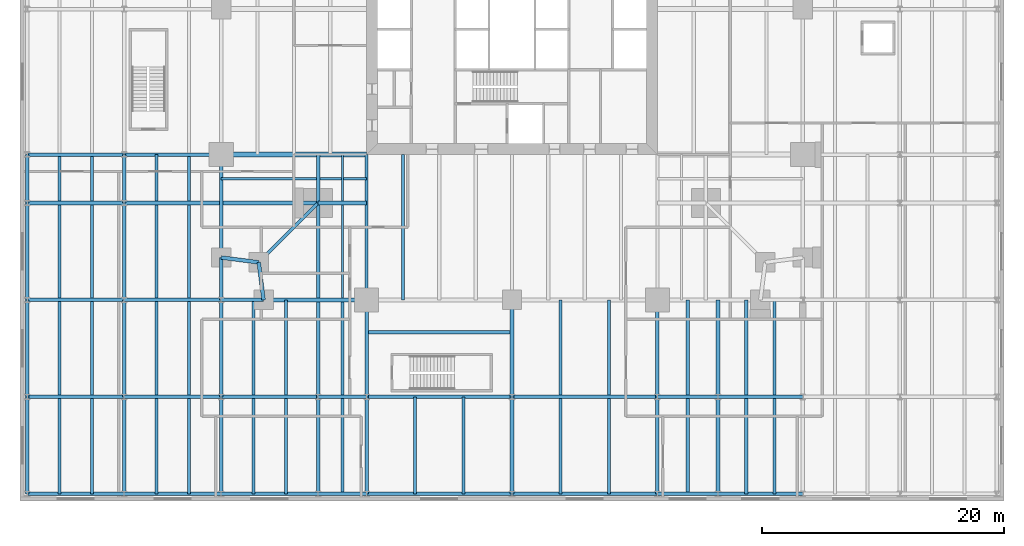
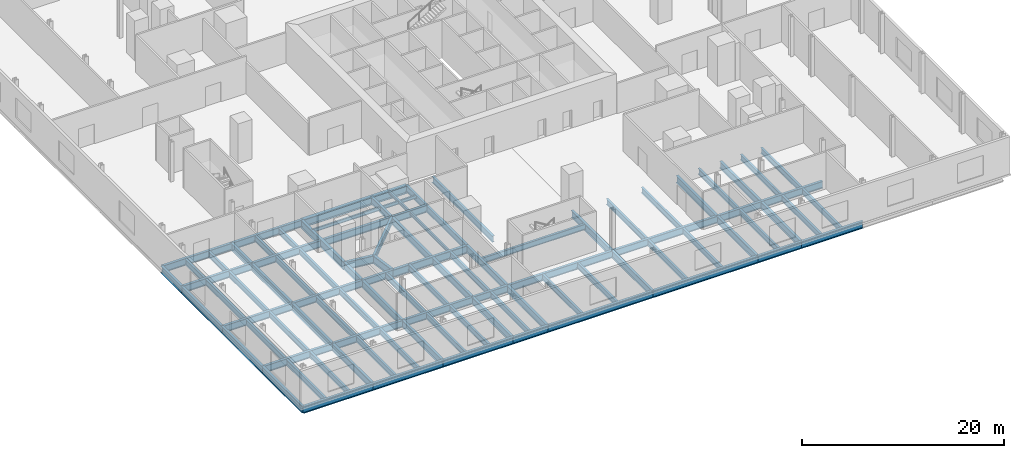
# One storey, part 4 of 16: 96 beams.
"""IFC4 building model written with IfcOpenShell, lengths in metres."""

from ifc_helpers import new_model, si_unit, direction, frame, origin, origin_2d, place, context, subcontext, project, spatial, i_section, extrude, material, material_profile, profile_set, type_object, element, save


model = new_model("IFC4")

# Units and contexts
model_context = context("Model", 3, precision=1e-05, world=origin(), true_north=direction((0.0, 1.0)))
body_context = subcontext(model_context, "Body", "Model", "MODEL_VIEW")
ifc_project = project(units=[si_unit("LENGTHUNIT", "METRE"), si_unit("AREAUNIT", "SQUARE_METRE"), si_unit("VOLUMEUNIT", "CUBIC_METRE"), si_unit("PLANEANGLEUNIT", "RADIAN"), si_unit("MASSUNIT", "GRAM", prefix="KILO")], contexts=[model_context])

# Site, building, storey
site_placement = place(None, origin())
site = spatial("IfcSite", under=ifc_project, at=site_placement, CompositionType="ELEMENT")
building_placement = place(site_placement, origin())
building = spatial("IfcBuilding", under=site, at=building_placement, Name="Fenwick Lantern Interchange", CompositionType="ELEMENT")
storey_placement = place(building_placement, frame((0.0, 0.0, 7.0)))
storey = spatial("IfcBuildingStorey", under=building, at=storey_placement, Name="L01", CompositionType="ELEMENT", Elevation=7.0)

# Beams
ifc_material = material(Name="Steel ASTM A992 Grade 50", Category="steel")
ifc_material_profile_1 = material_profile(ifc_material, i_section(OverallWidth=0.309814453125, OverallDepth=0.949951171875, WebThickness=0.0244140625, FlangeThickness=0.0439453125, at=origin_2d()), Name="W36X256")
ifc_profile_set_1 = profile_set([ifc_material_profile_1], Name="Steel ASTM A992 Grade 50")
beam_type_1 = type_object("IfcBeamType", Name="EDGE BEAM W36X256", PredefinedType="SPANDREL", material=ifc_profile_set_1)
for number, where, z_axis, x_axis, name in (
    (1, (4.5, 1.0, -0.675048828125), (1.0, 0.0, 0.0), (0.0, 1.0, 0.0), "L01/FR/S/EB1"),
    (2, (1.0, 13.0, -0.675048828125), (0.0, -1.0, 0.0), (1.0, 0.0, 0.0), "L01/FR/W/EB4"),
):
    element("IfcBeam", number, at=place(storey_placement, frame(where, z_axis=z_axis, x_axis=x_axis)), inside=storey, type_object=beam_type_1, Name=name, PredefinedType="SPANDREL", context=body_context, shape_type="SweptSolid", body=[
        extrude(i_section(OverallWidth=0.309814453125, OverallDepth=0.949951171875, WebThickness=0.0244140625, FlangeThickness=0.0439453125, at=origin_2d()), origin(), (0.0, 0.0, 1.0), 8.5),
    ])
for number, where, z_axis, x_axis, name in (
    (3, (1.0, 4.5, -0.675048828125), (0.991782342897, -0.127936641807, 0.0), (0.127936641807, 0.991782342897, 0.0), "L01/FR/W/EBR1"),
    (4, (4.10009765625, 4.10009765625, -0.675048828125), (0.127936641807, -0.991782342897, 0.0), (0.991782342897, 0.127936641807, 0.0), "L01/FR/W/EBR2"),
):
    element("IfcBeam", number, at=place(storey_placement, frame(where, z_axis=z_axis, x_axis=x_axis)), inside=storey, type_object=beam_type_1, Name=name, PredefinedType="SPANDREL", context=body_context, shape_type="SweptSolid", body=[
        extrude(i_section(OverallWidth=0.309814453125, OverallDepth=0.949951171875, WebThickness=0.0244140625, FlangeThickness=0.0439453125, at=origin_2d()), origin(), (0.0, 0.0, 1.0), 3.125732421875),
    ])
ifc_material_profile_2 = material_profile(ifc_material, i_section(OverallWidth=0.2666015625, OverallDepth=0.7568359375, WebThickness=0.013916015625, FlangeThickness=0.019287109375, at=origin_2d()), Name="W30X108")
ifc_profile_set_2 = profile_set([ifc_material_profile_2], Name="Steel ASTM A992 Grade 50")
beam_type_2 = type_object("IfcBeamType", Name="FLOOR BEAM W30X108", PredefinedType="BEAM", material=ifc_profile_set_2)
beam_1_placement = place(storey_placement, frame((16.0, 1.0, -0.578369140625), z_axis=(0.0, 1.0, 0.0), x_axis=(-1.0, 0.0, 0.0)))
element("IfcBeam", 5, at=beam_1_placement, inside=storey, type_object=beam_type_2, Name="L01/FR/S/R02", PredefinedType="BEAM", context=body_context, shape_type="SweptSolid", body=[
    extrude(i_section(OverallWidth=0.2666015625, OverallDepth=0.7568359375, WebThickness=0.013916015625, FlangeThickness=0.019287109375, at=origin_2d()), origin(), (0.0, 0.0, 1.0), 12.0),
])
ifc_material_profile_3 = material_profile(ifc_material, i_section(OverallWidth=0.177734375, OverallDepth=0.406494140625, WebThickness=0.0078125, FlangeThickness=0.012939453125, at=origin_2d()), Name="W16X40")
ifc_profile_set_3 = profile_set([ifc_material_profile_3], Name="Steel ASTM A992 Grade 50")
beam_type_3 = type_object("IfcBeamType", Name="INFILL BEAM W16X40", PredefinedType="JOIST", material=ifc_profile_set_3)
beam_2_placement = place(storey_placement, frame((11.0, 1.155029296875, -0.4033203125), z_axis=(0.0, 1.0, 0.0), x_axis=(-1.0, 0.0, 0.0)))
element("IfcBeam", 6, at=beam_2_placement, inside=storey, type_object=beam_type_3, Name="L01/FR/S/J1", PredefinedType="JOIST", context=body_context, shape_type="SweptSolid", body=[
    extrude(i_section(OverallWidth=0.177734375, OverallDepth=0.406494140625, WebThickness=0.0078125, FlangeThickness=0.012939453125, at=origin_2d()), origin(), (0.0, 0.0, 1.0), 7.698974609375),
])
beam_3_placement = place(storey_placement, frame((11.0, 9.14599609375, -0.4033203125), z_axis=(0.0, 1.0, 0.0), x_axis=(-1.0, 0.0, 0.0)))
element("IfcBeam", 7, at=beam_3_placement, inside=storey, type_object=beam_type_3, Name="L01/FR/S/J2", PredefinedType="JOIST", context=body_context, shape_type="SweptSolid", body=[
    extrude(i_section(OverallWidth=0.177734375, OverallDepth=0.406494140625, WebThickness=0.0078125, FlangeThickness=0.012939453125, at=origin_2d()), origin(), (0.0, 0.0, 1.0), 3.85400390625),
])
beam_4_placement = place(storey_placement, frame((1.0, 11.0, -0.4033203125), z_axis=(1.0, 0.0, 0.0), x_axis=(0.0, 1.0, 0.0)))
element("IfcBeam", 8, at=beam_4_placement, inside=storey, type_object=beam_type_3, Name="L01/FR/S/J3", PredefinedType="JOIST", context=body_context, shape_type="SweptSolid", body=[
    extrude(i_section(OverallWidth=0.177734375, OverallDepth=0.406494140625, WebThickness=0.0078125, FlangeThickness=0.012939453125, at=origin_2d()), origin(), (0.0, 0.0, 1.0), 7.85400390625),
])
beam_5_placement = place(storey_placement, frame((9.14599609375, 11.0, -0.4033203125), z_axis=(1.0, 0.0, 0.0), x_axis=(0.0, 1.0, 0.0)))
element("IfcBeam", 9, at=beam_5_placement, inside=storey, type_object=beam_type_3, Name="L01/FR/S/J4", PredefinedType="JOIST", context=body_context, shape_type="SweptSolid", body=[
    extrude(i_section(OverallWidth=0.177734375, OverallDepth=0.406494140625, WebThickness=0.0078125, FlangeThickness=0.012939453125, at=origin_2d()), origin(), (0.0, 0.0, 1.0), 1.76513671875),
])
beam_6_placement = place(storey_placement, frame((11.0888671875, 11.0, -0.4033203125), z_axis=(1.0, 0.0, 0.0), x_axis=(0.0, 1.0, 0.0)))
element("IfcBeam", 10, at=beam_6_placement, inside=storey, type_object=beam_type_3, Name="L01/FR/S/J5", PredefinedType="JOIST", context=body_context, shape_type="SweptSolid", body=[
    extrude(i_section(OverallWidth=0.177734375, OverallDepth=0.406494140625, WebThickness=0.0078125, FlangeThickness=0.012939453125, at=origin_2d()), origin(), (0.0, 0.0, 1.0), 1.9111328125),
])
ifc_material_profile_4 = material_profile(ifc_material, i_section(OverallWidth=0.2919921875, OverallDepth=0.845703125, WebThickness=0.015380859375, FlangeThickness=0.0244140625, at=origin_2d()), Name="W33X141")
ifc_profile_set_4 = profile_set([ifc_material_profile_4], Name="Steel ASTM A992 Grade 50")
beam_type_4 = type_object("IfcBeamType", Name="MEGA COLUMN BEAM W33X141", PredefinedType="BEAM", material=ifc_profile_set_4)
for number, where, z_axis, x_axis, name in (
    (11, (9.0, 9.0, -0.622802734375), (0.0, -1.0, 0.0), (1.0, 0.0, 0.0), "L01/FR/S/MB1"),
    (12, (9.0, 9.0, -0.622802734375), (-1.0, 0.0, 0.0), (0.0, -1.0, 0.0), "L01/FR/S/MB2"),
):
    element("IfcBeam", number, at=place(storey_placement, frame(where, z_axis=z_axis, x_axis=x_axis)), inside=storey, type_object=beam_type_4, Name=name, PredefinedType="BEAM", context=body_context, shape_type="SweptSolid", body=[
        extrude(i_section(OverallWidth=0.2919921875, OverallDepth=0.845703125, WebThickness=0.015380859375, FlangeThickness=0.0244140625, at=origin_2d()), origin(), (0.0, 0.0, 1.0), 7.844970703125),
    ])
for number, where, z_axis, x_axis, name in (
    (13, (9.0, 9.0, -0.622802734375), (1.0, 0.0, 0.0), (0.0, 1.0, 0.0), "L01/FR/S/MB3"),
    (14, (9.0, 9.0, -0.622802734375), (0.0, 1.0, 0.0), (-1.0, 0.0, 0.0), "L01/FR/S/MB4"),
):
    element("IfcBeam", number, at=place(storey_placement, frame(where, z_axis=z_axis, x_axis=x_axis)), inside=storey, type_object=beam_type_4, Name=name, PredefinedType="BEAM", context=body_context, shape_type="SweptSolid", body=[
        extrude(i_section(OverallWidth=0.2919921875, OverallDepth=0.845703125, WebThickness=0.015380859375, FlangeThickness=0.0244140625, at=origin_2d()), origin(), (0.0, 0.0, 1.0), 4.0),
    ])
ifc_material_profile_5 = material_profile(ifc_material, i_section(OverallWidth=0.2666015625, OverallDepth=0.76953125, WebThickness=0.015625, FlangeThickness=0.025390625, at=origin_2d()), Name="W30X132")
ifc_profile_set_5 = profile_set([ifc_material_profile_5], Name="Steel ASTM A992 Grade 50")
beam_type_5 = type_object("IfcBeamType", Name="MOMENT-CONNECTED GIRDER W30X132", PredefinedType="BEAM", material=ifc_profile_set_5)
beam_7_placement = place(storey_placement, frame((13.0, 1.0, -0.584716796875), z_axis=(0.0, 1.0, 0.0), x_axis=(-1.0, 0.0, 0.0)))
element("IfcBeam", 15, at=beam_7_placement, inside=storey, type_object=beam_type_5, Name="L01/FR/S/R01", PredefinedType="BEAM", context=body_context, shape_type="SweptSolid", body=[
    extrude(i_section(OverallWidth=0.2666015625, OverallDepth=0.76953125, WebThickness=0.015625, FlangeThickness=0.025390625, at=origin_2d()), origin(), (0.0, 0.0, 1.0), 12.0),
])
ifc_material_profile_6 = material_profile(ifc_material, i_section(OverallWidth=0.424072265625, OverallDepth=0.947509765625, WebThickness=0.02392578125, FlangeThickness=0.042724609375, at=origin_2d()), Name="W36X302")
ifc_profile_set_6 = profile_set([ifc_material_profile_6], Name="Steel ASTM A992 Grade 50")
beam_type_6 = type_object("IfcBeamType", Name="MOMENT-CONNECTED GIRDER W36X302", PredefinedType="BEAM", material=ifc_profile_set_6)
beam_8_placement = place(storey_placement, frame((1.0, 13.0, -0.673828125), z_axis=(1.0, 0.0, 0.0), x_axis=(0.0, 1.0, 0.0)))
element("IfcBeam", 16, at=beam_8_placement, inside=storey, type_object=beam_type_6, Name="L01/FR/W/R03", PredefinedType="BEAM", context=body_context, shape_type="SweptSolid", body=[
    extrude(i_section(OverallWidth=0.424072265625, OverallDepth=0.947509765625, WebThickness=0.02392578125, FlangeThickness=0.042724609375, at=origin_2d()), origin(), (0.0, 0.0, 1.0), 12.0),
])
ifc_material_profile_7 = material_profile(ifc_material, i_section(OverallWidth=0.2919921875, OverallDepth=0.845703125, WebThickness=0.015380859375, FlangeThickness=0.0244140625, at=origin_2d()), Name="W33X141")
ifc_profile_set_7 = profile_set([ifc_material_profile_7], Name="Steel ASTM A992 Grade 50")
beam_type_7 = type_object("IfcBeamType", Name="MOMENT-CONNECTED PODIUM GIRDER W33X141", PredefinedType="BEAM", material=ifc_profile_set_7)
for number, where, z_axis, x_axis, name in (
    (17, (-15.0, -15.0, -0.622802734375), (1.0, 0.0, 0.0), (0.0, 1.0, 0.0), "L01/PF/G001"),
    (18, (-7.0, -15.0, -0.622802734375), (1.0, 0.0, 0.0), (0.0, 1.0, 0.0), "L01/PF/G002"),
    (19, (1.0, -15.0, -0.622802734375), (1.0, 0.0, 0.0), (0.0, 1.0, 0.0), "L01/PF/G003"),
):
    element("IfcBeam", number, at=place(storey_placement, frame(where, z_axis=z_axis, x_axis=x_axis)), inside=storey, type_object=beam_type_7, Name=name, PredefinedType="BEAM", context=body_context, shape_type="SweptSolid", body=[
        extrude(i_section(OverallWidth=0.2919921875, OverallDepth=0.845703125, WebThickness=0.015380859375, FlangeThickness=0.0244140625, at=origin_2d()), origin(), (0.0, 0.0, 1.0), 8.0),
    ])
beam_9_placement = place(storey_placement, frame((9.0, -15.0, -0.622802734375), z_axis=(1.0, 0.0, 0.0), x_axis=(0.0, 1.0, 0.0)))
element("IfcBeam", 20, at=beam_9_placement, inside=storey, type_object=beam_type_7, Name="L01/PF/G004", PredefinedType="BEAM", context=body_context, shape_type="SweptSolid", body=[
    extrude(i_section(OverallWidth=0.2919921875, OverallDepth=0.845703125, WebThickness=0.015380859375, FlangeThickness=0.0244140625, at=origin_2d()), origin(), (0.0, 0.0, 1.0), 4.0),
])
for number, where, z_axis, x_axis, name in (
    (21, (13.0, -15.0, -0.622802734375), (1.0, 0.0, 0.0), (0.0, 1.0, 0.0), "L01/PF/G005"),
    (22, (25.0, -15.0, -0.622802734375), (1.0, 0.0, 0.0), (0.0, 1.0, 0.0), "L01/PF/G006"),
):
    element("IfcBeam", number, at=place(storey_placement, frame(where, z_axis=z_axis, x_axis=x_axis)), inside=storey, type_object=beam_type_7, Name=name, PredefinedType="BEAM", context=body_context, shape_type="SweptSolid", body=[
        extrude(i_section(OverallWidth=0.2919921875, OverallDepth=0.845703125, WebThickness=0.015380859375, FlangeThickness=0.0244140625, at=origin_2d()), origin(), (0.0, 0.0, 1.0), 12.0),
    ])
beam_10_placement = place(storey_placement, frame((37.0, -15.0, -0.622802734375), z_axis=(1.0, 0.0, 0.0), x_axis=(0.0, 1.0, 0.0)))
element("IfcBeam", 23, at=beam_10_placement, inside=storey, type_object=beam_type_7, Name="L01/PF/G007", PredefinedType="BEAM", context=body_context, shape_type="SweptSolid", body=[
    extrude(i_section(OverallWidth=0.2919921875, OverallDepth=0.845703125, WebThickness=0.015380859375, FlangeThickness=0.0244140625, at=origin_2d()), origin(), (0.0, 0.0, 1.0), 5.0),
])
beam_11_placement = place(storey_placement, frame((42.0, -15.0, -0.622802734375), z_axis=(1.0, 0.0, 0.0), x_axis=(0.0, 1.0, 0.0)))
element("IfcBeam", 24, at=beam_11_placement, inside=storey, type_object=beam_type_7, Name="L01/PF/G008", PredefinedType="BEAM", context=body_context, shape_type="SweptSolid", body=[
    extrude(i_section(OverallWidth=0.2919921875, OverallDepth=0.845703125, WebThickness=0.015380859375, FlangeThickness=0.0244140625, at=origin_2d()), origin(), (0.0, 0.0, 1.0), 7.0),
])
for number, where, z_axis, x_axis, name in (
    (25, (-15.0, -7.0, -0.622802734375), (1.0, 0.0, 0.0), (0.0, 1.0, 0.0), "L01/PF/G011"),
    (26, (-7.0, -7.0, -0.622802734375), (1.0, 0.0, 0.0), (0.0, 1.0, 0.0), "L01/PF/G012"),
    (27, (1.0, -7.0, -0.622802734375), (1.0, 0.0, 0.0), (0.0, 1.0, 0.0), "L01/PF/G013"),
):
    element("IfcBeam", number, at=place(storey_placement, frame(where, z_axis=z_axis, x_axis=x_axis)), inside=storey, type_object=beam_type_7, Name=name, PredefinedType="BEAM", context=body_context, shape_type="SweptSolid", body=[
        extrude(i_section(OverallWidth=0.2919921875, OverallDepth=0.845703125, WebThickness=0.015380859375, FlangeThickness=0.0244140625, at=origin_2d()), origin(), (0.0, 0.0, 1.0), 8.0),
    ])
beam_12_placement = place(storey_placement, frame((9.0, -7.0, -0.622802734375), z_axis=(1.0, 0.0, 0.0), x_axis=(0.0, 1.0, 0.0)))
element("IfcBeam", 28, at=beam_12_placement, inside=storey, type_object=beam_type_7, Name="L01/PF/G014", PredefinedType="BEAM", context=body_context, shape_type="SweptSolid", body=[
    extrude(i_section(OverallWidth=0.2919921875, OverallDepth=0.845703125, WebThickness=0.015380859375, FlangeThickness=0.0244140625, at=origin_2d()), origin(), (0.0, 0.0, 1.0), 4.0),
])
for number, where, z_axis, x_axis, name in (
    (29, (13.0, -7.0, -0.622802734375), (1.0, 0.0, 0.0), (0.0, 1.0, 0.0), "L01/PF/G015"),
    (30, (25.0, -7.0, -0.622802734375), (1.0, 0.0, 0.0), (0.0, 1.0, 0.0), "L01/PF/G016"),
):
    element("IfcBeam", number, at=place(storey_placement, frame(where, z_axis=z_axis, x_axis=x_axis)), inside=storey, type_object=beam_type_7, Name=name, PredefinedType="BEAM", context=body_context, shape_type="SweptSolid", body=[
        extrude(i_section(OverallWidth=0.2919921875, OverallDepth=0.845703125, WebThickness=0.015380859375, FlangeThickness=0.0244140625, at=origin_2d()), origin(), (0.0, 0.0, 1.0), 12.0),
    ])
beam_13_placement = place(storey_placement, frame((37.0, -7.0, -0.622802734375), z_axis=(1.0, 0.0, 0.0), x_axis=(0.0, 1.0, 0.0)))
element("IfcBeam", 31, at=beam_13_placement, inside=storey, type_object=beam_type_7, Name="L01/PF/G017", PredefinedType="BEAM", context=body_context, shape_type="SweptSolid", body=[
    extrude(i_section(OverallWidth=0.2919921875, OverallDepth=0.845703125, WebThickness=0.015380859375, FlangeThickness=0.0244140625, at=origin_2d()), origin(), (0.0, 0.0, 1.0), 5.0),
])
beam_14_placement = place(storey_placement, frame((42.0, -7.0, -0.622802734375), z_axis=(1.0, 0.0, 0.0), x_axis=(0.0, 1.0, 0.0)))
element("IfcBeam", 32, at=beam_14_placement, inside=storey, type_object=beam_type_7, Name="L01/PF/G018", PredefinedType="BEAM", context=body_context, shape_type="SweptSolid", body=[
    extrude(i_section(OverallWidth=0.2919921875, OverallDepth=0.845703125, WebThickness=0.015380859375, FlangeThickness=0.0244140625, at=origin_2d()), origin(), (0.0, 0.0, 1.0), 7.0),
])
for number, where, z_axis, x_axis, name in (
    (33, (-15.0, 1.0, -0.622802734375), (1.0, 0.0, 0.0), (0.0, 1.0, 0.0), "L01/PF/G021"),
    (34, (-7.0, 1.0, -0.622802734375), (1.0, 0.0, 0.0), (0.0, 1.0, 0.0), "L01/PF/G022"),
):
    element("IfcBeam", number, at=place(storey_placement, frame(where, z_axis=z_axis, x_axis=x_axis)), inside=storey, type_object=beam_type_7, Name=name, PredefinedType="BEAM", context=body_context, shape_type="SweptSolid", body=[
        extrude(i_section(OverallWidth=0.2919921875, OverallDepth=0.845703125, WebThickness=0.015380859375, FlangeThickness=0.0244140625, at=origin_2d()), origin(), (0.0, 0.0, 1.0), 8.0),
    ])
beam_15_placement = place(storey_placement, frame((1.0, 1.0, -0.622802734375), z_axis=(1.0, 0.0, 0.0), x_axis=(0.0, 1.0, 0.0)))
element("IfcBeam", 35, at=beam_15_placement, inside=storey, type_object=beam_type_7, Name="L01/PF/G023", PredefinedType="BEAM", context=body_context, shape_type="SweptSolid", body=[
    extrude(i_section(OverallWidth=0.2919921875, OverallDepth=0.845703125, WebThickness=0.015380859375, FlangeThickness=0.0244140625, at=origin_2d()), origin(), (0.0, 0.0, 1.0), 3.5),
])
beam_16_placement = place(storey_placement, frame((-15.0, 9.0, -0.622802734375), z_axis=(1.0, 0.0, 0.0), x_axis=(0.0, 1.0, 0.0)))
element("IfcBeam", 36, at=beam_16_placement, inside=storey, type_object=beam_type_7, Name="L01/PF/G027", PredefinedType="BEAM", context=body_context, shape_type="SweptSolid", body=[
    extrude(i_section(OverallWidth=0.2919921875, OverallDepth=0.845703125, WebThickness=0.015380859375, FlangeThickness=0.0244140625, at=origin_2d()), origin(), (0.0, 0.0, 1.0), 8.0),
])
beam_17_placement = place(storey_placement, frame((-7.0, 9.0, -0.622802734375), z_axis=(1.0, 0.0, 0.0), x_axis=(0.0, 1.0, 0.0)))
element("IfcBeam", 37, at=beam_17_placement, inside=storey, type_object=beam_type_7, Name="L01/PF/G028", PredefinedType="BEAM", context=body_context, shape_type="SweptSolid", body=[
    extrude(i_section(OverallWidth=0.2919921875, OverallDepth=0.845703125, WebThickness=0.015380859375, FlangeThickness=0.0244140625, at=origin_2d()), origin(), (0.0, 0.0, 1.0), 7.844970703125),
])
for number, where, z_axis, x_axis, name in (
    (38, (-15.0, 13.0, -0.622802734375), (1.0, 0.0, 0.0), (0.0, 1.0, 0.0), "L01/PF/G031"),
    (39, (-7.0, 13.0, -0.622802734375), (1.0, 0.0, 0.0), (0.0, 1.0, 0.0), "L01/PF/G032"),
    (40, (-15.0, -15.0, -0.622802734375), (0.0, 1.0, 0.0), (-1.0, 0.0, 0.0), "L01/PF/G073"),
    (41, (-15.0, -7.0, -0.622802734375), (0.0, 1.0, 0.0), (-1.0, 0.0, 0.0), "L01/PF/G074"),
    (42, (-15.0, 1.0, -0.622802734375), (0.0, 1.0, 0.0), (-1.0, 0.0, 0.0), "L01/PF/G075"),
):
    element("IfcBeam", number, at=place(storey_placement, frame(where, z_axis=z_axis, x_axis=x_axis)), inside=storey, type_object=beam_type_7, Name=name, PredefinedType="BEAM", context=body_context, shape_type="SweptSolid", body=[
        extrude(i_section(OverallWidth=0.2919921875, OverallDepth=0.845703125, WebThickness=0.015380859375, FlangeThickness=0.0244140625, at=origin_2d()), origin(), (0.0, 0.0, 1.0), 8.0),
    ])
beam_18_placement = place(storey_placement, frame((-15.0, 9.0, -0.622802734375), z_axis=(0.0, 1.0, 0.0), x_axis=(-1.0, 0.0, 0.0)))
element("IfcBeam", 43, at=beam_18_placement, inside=storey, type_object=beam_type_7, Name="L01/PF/G076", PredefinedType="BEAM", context=body_context, shape_type="SweptSolid", body=[
    extrude(i_section(OverallWidth=0.2919921875, OverallDepth=0.845703125, WebThickness=0.015380859375, FlangeThickness=0.0244140625, at=origin_2d()), origin(), (0.0, 0.0, 1.0), 4.0),
])
for number, where, z_axis, x_axis, name in (
    (44, (-7.0, -15.0, -0.622802734375), (0.0, 1.0, 0.0), (-1.0, 0.0, 0.0), "L01/PF/G083"),
    (45, (-7.0, -7.0, -0.622802734375), (0.0, 1.0, 0.0), (-1.0, 0.0, 0.0), "L01/PF/G084"),
    (46, (-7.0, 1.0, -0.622802734375), (0.0, 1.0, 0.0), (-1.0, 0.0, 0.0), "L01/PF/G085"),
):
    element("IfcBeam", number, at=place(storey_placement, frame(where, z_axis=z_axis, x_axis=x_axis)), inside=storey, type_object=beam_type_7, Name=name, PredefinedType="BEAM", context=body_context, shape_type="SweptSolid", body=[
        extrude(i_section(OverallWidth=0.2919921875, OverallDepth=0.845703125, WebThickness=0.015380859375, FlangeThickness=0.0244140625, at=origin_2d()), origin(), (0.0, 0.0, 1.0), 8.0),
    ])
beam_19_placement = place(storey_placement, frame((-7.0, 9.0, -0.622802734375), z_axis=(0.0, 1.0, 0.0), x_axis=(-1.0, 0.0, 0.0)))
element("IfcBeam", 47, at=beam_19_placement, inside=storey, type_object=beam_type_7, Name="L01/PF/G086", PredefinedType="BEAM", context=body_context, shape_type="SweptSolid", body=[
    extrude(i_section(OverallWidth=0.2919921875, OverallDepth=0.845703125, WebThickness=0.015380859375, FlangeThickness=0.0244140625, at=origin_2d()), origin(), (0.0, 0.0, 1.0), 4.0),
])
for number, where, z_axis, x_axis, name in (
    (48, (1.0, -15.0, -0.622802734375), (0.0, 1.0, 0.0), (-1.0, 0.0, 0.0), "L01/PF/G093"),
    (49, (1.0, -7.0, -0.622802734375), (0.0, 1.0, 0.0), (-1.0, 0.0, 0.0), "L01/PF/G094"),
):
    element("IfcBeam", number, at=place(storey_placement, frame(where, z_axis=z_axis, x_axis=x_axis)), inside=storey, type_object=beam_type_7, Name=name, PredefinedType="BEAM", context=body_context, shape_type="SweptSolid", body=[
        extrude(i_section(OverallWidth=0.2919921875, OverallDepth=0.845703125, WebThickness=0.015380859375, FlangeThickness=0.0244140625, at=origin_2d()), origin(), (0.0, 0.0, 1.0), 8.0),
    ])
beam_20_placement = place(storey_placement, frame((1.0, 1.0, -0.622802734375), z_axis=(0.0, 1.0, 0.0), x_axis=(-1.0, 0.0, 0.0)))
element("IfcBeam", 50, at=beam_20_placement, inside=storey, type_object=beam_type_7, Name="L01/PF/G095", PredefinedType="BEAM", context=body_context, shape_type="SweptSolid", body=[
    extrude(i_section(OverallWidth=0.2919921875, OverallDepth=0.845703125, WebThickness=0.015380859375, FlangeThickness=0.0244140625, at=origin_2d()), origin(), (0.0, 0.0, 1.0), 3.5),
])
beam_21_placement = place(storey_placement, frame((9.0, -15.0, -0.622802734375), z_axis=(0.0, 1.0, 0.0), x_axis=(-1.0, 0.0, 0.0)))
element("IfcBeam", 51, at=beam_21_placement, inside=storey, type_object=beam_type_7, Name="L01/PF/G099", PredefinedType="BEAM", context=body_context, shape_type="SweptSolid", body=[
    extrude(i_section(OverallWidth=0.2919921875, OverallDepth=0.845703125, WebThickness=0.015380859375, FlangeThickness=0.0244140625, at=origin_2d()), origin(), (0.0, 0.0, 1.0), 8.0),
])
beam_22_placement = place(storey_placement, frame((9.0, -7.0, -0.622802734375), z_axis=(0.0, 1.0, 0.0), x_axis=(-1.0, 0.0, 0.0)))
element("IfcBeam", 52, at=beam_22_placement, inside=storey, type_object=beam_type_7, Name="L01/PF/G100", PredefinedType="BEAM", context=body_context, shape_type="SweptSolid", body=[
    extrude(i_section(OverallWidth=0.2919921875, OverallDepth=0.845703125, WebThickness=0.015380859375, FlangeThickness=0.0244140625, at=origin_2d()), origin(), (0.0, 0.0, 1.0), 7.844970703125),
])
for number, where, z_axis, x_axis, name in (
    (53, (13.0, -15.0, -0.622802734375), (0.0, 1.0, 0.0), (-1.0, 0.0, 0.0), "L01/PF/G103"),
    (54, (13.0, -7.0, -0.622802734375), (0.0, 1.0, 0.0), (-1.0, 0.0, 0.0), "L01/PF/G104"),
    (55, (25.0, -15.0, -0.622802734375), (0.0, 1.0, 0.0), (-1.0, 0.0, 0.0), "L01/PF/G107"),
    (56, (25.0, -7.0, -0.622802734375), (0.0, 1.0, 0.0), (-1.0, 0.0, 0.0), "L01/PF/G108"),
    (57, (37.0, -15.0, -0.622802734375), (0.0, 1.0, 0.0), (-1.0, 0.0, 0.0), "L01/PF/G111"),
    (58, (37.0, -7.0, -0.622802734375), (0.0, 1.0, 0.0), (-1.0, 0.0, 0.0), "L01/PF/G112"),
    (59, (42.0, -15.0, -0.622802734375), (0.0, 1.0, 0.0), (-1.0, 0.0, 0.0), "L01/PF/G115"),
    (60, (42.0, -7.0, -0.622802734375), (0.0, 1.0, 0.0), (-1.0, 0.0, 0.0), "L01/PF/G116"),
):
    element("IfcBeam", number, at=place(storey_placement, frame(where, z_axis=z_axis, x_axis=x_axis)), inside=storey, type_object=beam_type_7, Name=name, PredefinedType="BEAM", context=body_context, shape_type="SweptSolid", body=[
        extrude(i_section(OverallWidth=0.2919921875, OverallDepth=0.845703125, WebThickness=0.015380859375, FlangeThickness=0.0244140625, at=origin_2d()), origin(), (0.0, 0.0, 1.0), 8.0),
    ])
ifc_material_profile_8 = material_profile(ifc_material, i_section(OverallWidth=0.2666015625, OverallDepth=0.7568359375, WebThickness=0.013916015625, FlangeThickness=0.019287109375, at=origin_2d()), Name="W30X108")
ifc_profile_set_8 = profile_set([ifc_material_profile_8], Name="Steel ASTM A992 Grade 50")
beam_type_8 = type_object("IfcBeamType", Name="NOTCH BEAM W30X108", PredefinedType="BEAM", material=ifc_profile_set_8)
beam_23_placement = place(storey_placement, frame((9.0, 9.0, -0.578369140625), z_axis=(-0.707106781187, -0.707106781187, 0.0), x_axis=(0.707106781187, -0.707106781187, 0.0)))
element("IfcBeam", 61, at=beam_23_placement, inside=storey, type_object=beam_type_8, Name="L01/FR/S/TG", PredefinedType="BEAM", context=body_context, shape_type="SweptSolid", body=[
    extrude(i_section(OverallWidth=0.2666015625, OverallDepth=0.7568359375, WebThickness=0.013916015625, FlangeThickness=0.019287109375, at=origin_2d()), origin(), (0.0, 0.0, 1.0), 6.929443359375),
])
ifc_material_profile_9 = material_profile(ifc_material, i_section(OverallWidth=0.25390625, OverallDepth=0.683349609375, WebThickness=0.012451171875, FlangeThickness=0.01904296875, at=origin_2d()), Name="W27X94")
ifc_profile_set_9 = profile_set([ifc_material_profile_9], Name="Steel ASTM A992 Grade 50")
beam_type_9 = type_object("IfcBeamType", Name="PODIUM BEAM W27X94", PredefinedType="JOIST", material=ifc_profile_set_9)
for number, where, z_axis, x_axis, name in (
    (62, (-12.333251953125, -15.0, -0.541748046875), (0.0, 1.0, 0.0), (-1.0, 0.0, 0.0), "L01/PF/J145"),
    (63, (-9.666748046875, -15.0, -0.541748046875), (0.0, 1.0, 0.0), (-1.0, 0.0, 0.0), "L01/PF/J146"),
):
    element("IfcBeam", number, at=place(storey_placement, frame(where, z_axis=z_axis, x_axis=x_axis)), inside=storey, type_object=beam_type_9, Name=name, PredefinedType="JOIST", context=body_context, shape_type="SweptSolid", body=[
        extrude(i_section(OverallWidth=0.25390625, OverallDepth=0.683349609375, WebThickness=0.012451171875, FlangeThickness=0.01904296875, at=origin_2d()), origin(), (0.0, 0.0, 1.0), 7.85400390625),
    ])
for number, where, z_axis, x_axis, name in (
    (64, (-12.333251953125, -6.85400390625, -0.541748046875), (0.0, 1.0, 0.0), (-1.0, 0.0, 0.0), "L01/PF/J147"),
    (65, (-9.666748046875, -6.85400390625, -0.541748046875), (0.0, 1.0, 0.0), (-1.0, 0.0, 0.0), "L01/PF/J148"),
    (66, (-12.333251953125, 1.14599609375, -0.541748046875), (0.0, 1.0, 0.0), (-1.0, 0.0, 0.0), "L01/PF/J149"),
    (67, (-9.666748046875, 1.14599609375, -0.541748046875), (0.0, 1.0, 0.0), (-1.0, 0.0, 0.0), "L01/PF/J150"),
):
    element("IfcBeam", number, at=place(storey_placement, frame(where, z_axis=z_axis, x_axis=x_axis)), inside=storey, type_object=beam_type_9, Name=name, PredefinedType="JOIST", context=body_context, shape_type="SweptSolid", body=[
        extrude(i_section(OverallWidth=0.25390625, OverallDepth=0.683349609375, WebThickness=0.012451171875, FlangeThickness=0.01904296875, at=origin_2d()), origin(), (0.0, 0.0, 1.0), 7.7080078125),
    ])
for number, where, z_axis, x_axis, name in (
    (68, (-12.333251953125, 9.14599609375, -0.541748046875), (0.0, 1.0, 0.0), (-1.0, 0.0, 0.0), "L01/PF/J151"),
    (69, (-9.666748046875, 9.14599609375, -0.541748046875), (0.0, 1.0, 0.0), (-1.0, 0.0, 0.0), "L01/PF/J152"),
):
    element("IfcBeam", number, at=place(storey_placement, frame(where, z_axis=z_axis, x_axis=x_axis)), inside=storey, type_object=beam_type_9, Name=name, PredefinedType="JOIST", context=body_context, shape_type="SweptSolid", body=[
        extrude(i_section(OverallWidth=0.25390625, OverallDepth=0.683349609375, WebThickness=0.012451171875, FlangeThickness=0.01904296875, at=origin_2d()), origin(), (0.0, 0.0, 1.0), 3.7080078125),
    ])
for number, where, z_axis, x_axis, name in (
    (70, (-4.333251953125, -15.0, -0.541748046875), (0.0, 1.0, 0.0), (-1.0, 0.0, 0.0), "L01/PF/J165"),
    (71, (-1.666748046875, -15.0, -0.541748046875), (0.0, 1.0, 0.0), (-1.0, 0.0, 0.0), "L01/PF/J166"),
):
    element("IfcBeam", number, at=place(storey_placement, frame(where, z_axis=z_axis, x_axis=x_axis)), inside=storey, type_object=beam_type_9, Name=name, PredefinedType="JOIST", context=body_context, shape_type="SweptSolid", body=[
        extrude(i_section(OverallWidth=0.25390625, OverallDepth=0.683349609375, WebThickness=0.012451171875, FlangeThickness=0.01904296875, at=origin_2d()), origin(), (0.0, 0.0, 1.0), 7.85400390625),
    ])
for number, where, z_axis, x_axis, name in (
    (72, (-4.333251953125, -6.85400390625, -0.541748046875), (0.0, 1.0, 0.0), (-1.0, 0.0, 0.0), "L01/PF/J167"),
    (73, (-1.666748046875, -6.85400390625, -0.541748046875), (0.0, 1.0, 0.0), (-1.0, 0.0, 0.0), "L01/PF/J168"),
    (74, (-4.333251953125, 1.14599609375, -0.541748046875), (0.0, 1.0, 0.0), (-1.0, 0.0, 0.0), "L01/PF/J169"),
    (75, (-1.666748046875, 1.14599609375, -0.541748046875), (0.0, 1.0, 0.0), (-1.0, 0.0, 0.0), "L01/PF/J170"),
):
    element("IfcBeam", number, at=place(storey_placement, frame(where, z_axis=z_axis, x_axis=x_axis)), inside=storey, type_object=beam_type_9, Name=name, PredefinedType="JOIST", context=body_context, shape_type="SweptSolid", body=[
        extrude(i_section(OverallWidth=0.25390625, OverallDepth=0.683349609375, WebThickness=0.012451171875, FlangeThickness=0.01904296875, at=origin_2d()), origin(), (0.0, 0.0, 1.0), 7.7080078125),
    ])
beam_24_placement = place(storey_placement, frame((-4.333251953125, 9.14599609375, -0.541748046875), z_axis=(0.0, 1.0, 0.0), x_axis=(-1.0, 0.0, 0.0)))
element("IfcBeam", 76, at=beam_24_placement, inside=storey, type_object=beam_type_9, Name="L01/PF/J171", PredefinedType="JOIST", context=body_context, shape_type="SweptSolid", body=[
    extrude(i_section(OverallWidth=0.25390625, OverallDepth=0.683349609375, WebThickness=0.012451171875, FlangeThickness=0.01904296875, at=origin_2d()), origin(), (0.0, 0.0, 1.0), 3.85400390625),
])
beam_25_placement = place(storey_placement, frame((-1.666748046875, 9.14599609375, -0.541748046875), z_axis=(0.0, 1.0, 0.0), x_axis=(-1.0, 0.0, 0.0)))
element("IfcBeam", 77, at=beam_25_placement, inside=storey, type_object=beam_type_9, Name="L01/PF/J172", PredefinedType="JOIST", context=body_context, shape_type="SweptSolid", body=[
    extrude(i_section(OverallWidth=0.25390625, OverallDepth=0.683349609375, WebThickness=0.012451171875, FlangeThickness=0.01904296875, at=origin_2d()), origin(), (0.0, 0.0, 1.0), 3.7080078125),
])
for number, where, z_axis, x_axis, name in (
    (78, (3.666748046875, -15.0, -0.541748046875), (0.0, 1.0, 0.0), (-1.0, 0.0, 0.0), "L01/PF/J183"),
    (79, (6.333251953125, -15.0, -0.541748046875), (0.0, 1.0, 0.0), (-1.0, 0.0, 0.0), "L01/PF/J184"),
    (80, (3.666748046875, -6.85400390625, -0.541748046875), (0.0, 1.0, 0.0), (-1.0, 0.0, 0.0), "L01/PF/J185"),
    (81, (6.333251953125, -6.85400390625, -0.541748046875), (0.0, 1.0, 0.0), (-1.0, 0.0, 0.0), "L01/PF/J186"),
    (82, (11.0, -15.0, -0.541748046875), (0.0, 1.0, 0.0), (-1.0, 0.0, 0.0), "L01/PF/J191"),
):
    element("IfcBeam", number, at=place(storey_placement, frame(where, z_axis=z_axis, x_axis=x_axis)), inside=storey, type_object=beam_type_9, Name=name, PredefinedType="JOIST", context=body_context, shape_type="SweptSolid", body=[
        extrude(i_section(OverallWidth=0.25390625, OverallDepth=0.683349609375, WebThickness=0.012451171875, FlangeThickness=0.01904296875, at=origin_2d()), origin(), (0.0, 0.0, 1.0), 7.85400390625),
    ])
beam_26_placement = place(storey_placement, frame((11.0, -6.85400390625, -0.541748046875), z_axis=(0.0, 1.0, 0.0), x_axis=(-1.0, 0.0, 0.0)))
element("IfcBeam", 83, at=beam_26_placement, inside=storey, type_object=beam_type_9, Name="L01/PF/J192", PredefinedType="JOIST", context=body_context, shape_type="SweptSolid", body=[
    extrude(i_section(OverallWidth=0.25390625, OverallDepth=0.683349609375, WebThickness=0.012451171875, FlangeThickness=0.01904296875, at=origin_2d()), origin(), (0.0, 0.0, 1.0), 7.698974609375),
])
for number, where, z_axis, x_axis, name in (
    (84, (17.0, -15.0, -0.541748046875), (0.0, 1.0, 0.0), (-1.0, 0.0, 0.0), "L01/PF/J195"),
    (85, (21.0, -15.0, -0.541748046875), (0.0, 1.0, 0.0), (-1.0, 0.0, 0.0), "L01/PF/J196"),
):
    element("IfcBeam", number, at=place(storey_placement, frame(where, z_axis=z_axis, x_axis=x_axis)), inside=storey, type_object=beam_type_9, Name=name, PredefinedType="JOIST", context=body_context, shape_type="SweptSolid", body=[
        extrude(i_section(OverallWidth=0.25390625, OverallDepth=0.683349609375, WebThickness=0.012451171875, FlangeThickness=0.01904296875, at=origin_2d()), origin(), (0.0, 0.0, 1.0), 8.0),
    ])
beam_27_placement = place(storey_placement, frame((13.0, -1.666748046875, -0.541748046875), z_axis=(1.0, 0.0, 0.0), x_axis=(0.0, 1.0, 0.0)))
element("IfcBeam", 86, at=beam_27_placement, inside=storey, type_object=beam_type_9, Name="L01/PF/J197", PredefinedType="JOIST", context=body_context, shape_type="SweptSolid", body=[
    extrude(i_section(OverallWidth=0.25390625, OverallDepth=0.683349609375, WebThickness=0.012451171875, FlangeThickness=0.01904296875, at=origin_2d()), origin(), (0.0, 0.0, 1.0), 12.0),
])
for number, where, z_axis, x_axis, name in (
    (87, (29.0, -15.0, -0.541748046875), (0.0, 1.0, 0.0), (-1.0, 0.0, 0.0), "L01/PF/J201"),
    (88, (33.0, -15.0, -0.541748046875), (0.0, 1.0, 0.0), (-1.0, 0.0, 0.0), "L01/PF/J202"),
    (89, (29.0, -6.85400390625, -0.541748046875), (0.0, 1.0, 0.0), (-1.0, 0.0, 0.0), "L01/PF/J203"),
    (90, (33.0, -6.85400390625, -0.541748046875), (0.0, 1.0, 0.0), (-1.0, 0.0, 0.0), "L01/PF/J204"),
    (91, (39.5, -15.0, -0.541748046875), (0.0, 1.0, 0.0), (-1.0, 0.0, 0.0), "L01/PF/J209"),
    (92, (39.5, -6.85400390625, -0.541748046875), (0.0, 1.0, 0.0), (-1.0, 0.0, 0.0), "L01/PF/J210"),
    (93, (44.333251953125, -15.0, -0.541748046875), (0.0, 1.0, 0.0), (-1.0, 0.0, 0.0), "L01/PF/J213"),
    (94, (46.666748046875, -15.0, -0.541748046875), (0.0, 1.0, 0.0), (-1.0, 0.0, 0.0), "L01/PF/J214"),
    (95, (44.333251953125, -6.85400390625, -0.541748046875), (0.0, 1.0, 0.0), (-1.0, 0.0, 0.0), "L01/PF/J215"),
    (96, (46.666748046875, -6.85400390625, -0.541748046875), (0.0, 1.0, 0.0), (-1.0, 0.0, 0.0), "L01/PF/J216"),
):
    element("IfcBeam", number, at=place(storey_placement, frame(where, z_axis=z_axis, x_axis=x_axis)), inside=storey, type_object=beam_type_9, Name=name, PredefinedType="JOIST", context=body_context, shape_type="SweptSolid", body=[
        extrude(i_section(OverallWidth=0.25390625, OverallDepth=0.683349609375, WebThickness=0.012451171875, FlangeThickness=0.01904296875, at=origin_2d()), origin(), (0.0, 0.0, 1.0), 7.85400390625),
    ])

save(model, "model.ifc")
